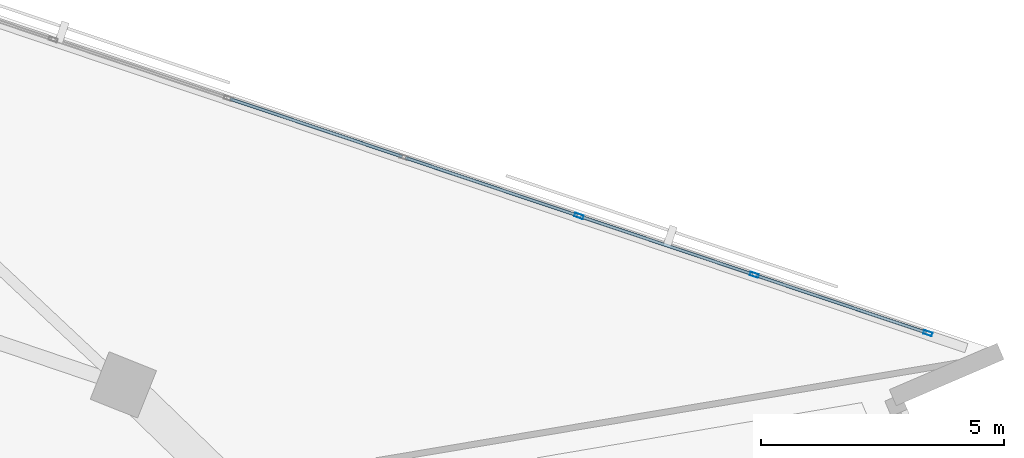
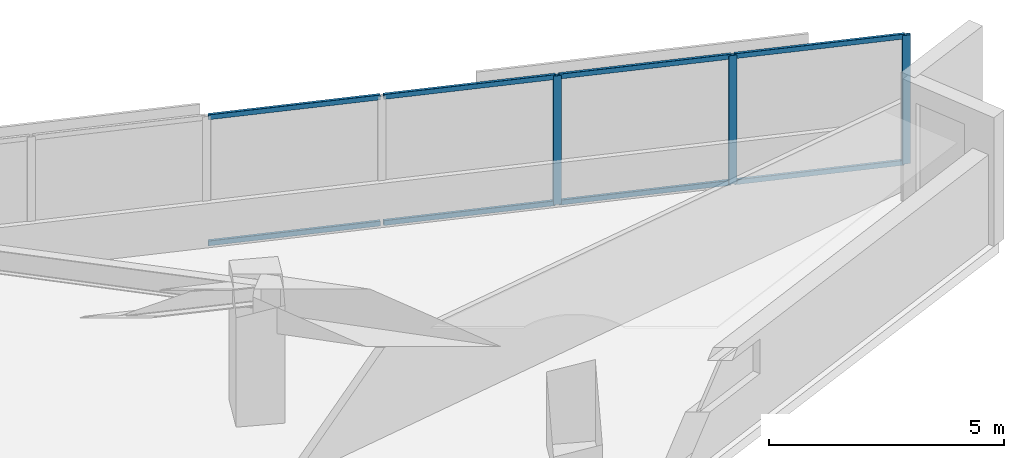
# One storey, part 5 of 14: 11 members, 1 element without a shape of its own.
"""IFC4 building model written with IfcOpenShell, lengths in metres."""

from ifc_helpers import new_model, si_unit, direction, frame, origin, origin_2d, place, context, subcontext, project, spatial, hollow_rectangle, extrude, material, material_profile, profile_set, type_object, element, aggregate, save


model = new_model("IFC4")

# Units and contexts
model_context = context("Model", 3, precision=1e-05, world=origin(), true_north=direction((0.0, 1.0)))
body_context = subcontext(model_context, "Body", "Model", "MODEL_VIEW")
ifc_project = project(units=[si_unit("LENGTHUNIT", "METRE"), si_unit("AREAUNIT", "SQUARE_METRE"), si_unit("VOLUMEUNIT", "CUBIC_METRE"), si_unit("PLANEANGLEUNIT", "RADIAN"), si_unit("MASSUNIT", "GRAM", prefix="KILO")], contexts=[model_context])

# Site, building, storey
site_placement = place(None, origin())
site = spatial("IfcSite", under=ifc_project, at=site_placement, CompositionType="ELEMENT")
building_placement = place(site_placement, origin())
building = spatial("IfcBuilding", under=site, at=building_placement, Name="Narakoshi Arena Tower", CompositionType="ELEMENT")
storey_placement = place(building_placement, frame((0.0, 0.0, 168.300048828125)))
storey = spatial("IfcBuildingStorey", under=building, at=storey_placement, Name="L45", CompositionType="ELEMENT", Elevation=168.300048828125)

# Curtain wall, members
ifc_material = material(Name="Anodised bronze aluminium 6063-T6", Category="aluminium")
curtain_wall_type = type_object("IfcCurtainWallType", Name="CW-HYP-MID", PredefinedType="NOTDEFINED", material=ifc_material)
curtain_wall_placement = place(storey_placement, origin())
curtain_wall = element("IfcCurtainWall", 1, at=curtain_wall_placement, inside=storey, type_object=curtain_wall_type, Name="L45 Folded Hypotenuse Curtain Wall 1-1", PredefinedType="NOTDEFINED")
ifc_material_profile_1 = material_profile(ifc_material, hollow_rectangle(XDim=0.074951171875, YDim=0.179931640625, WallThickness=0.00390625, OuterFilletRadius=0.0048828125, at=origin_2d()), Name="MUL180x75x4")
ifc_profile_set_1 = profile_set([ifc_material_profile_1], Name="Anodised bronze aluminium 6063-T6")
member_type_1 = type_object("IfcMemberType", Name="MEM-MUL-180", PredefinedType="MULLION", material=ifc_profile_set_1)
member_1_placement = place(storey_placement, frame((116.57080078125, 52.6513671875, 0.0), z_axis=(0.0, 0.0, 1.0), x_axis=(-0.318260960253, -0.948003144077, 0.0)))
member_1 = element("IfcMember", 2, at=member_1_placement, type_object=member_type_1, Name="CW-02 mullion 1", PredefinedType="MULLION", context=body_context, shape_type="SweptSolid", body=[
    extrude(hollow_rectangle(XDim=0.074951171875, YDim=0.179931640625, WallThickness=0.00390625, OuterFilletRadius=0.0048828125, at=origin_2d()), origin(), (0.0, 0.0, 1.0), 3.33984375),
])
member_2_placement = place(storey_placement, frame((112.998779296875, 53.8505859375, 0.0), z_axis=(0.0, 0.0, 1.0), x_axis=(-0.318260960253, -0.948003144077, 0.0)))
member_2 = element("IfcMember", 3, at=member_2_placement, type_object=member_type_1, Name="CW-02 mullion 2", PredefinedType="MULLION", context=body_context, shape_type="SweptSolid", body=[
    extrude(hollow_rectangle(XDim=0.074951171875, YDim=0.179931640625, WallThickness=0.00390625, OuterFilletRadius=0.0048828125, at=origin_2d()), origin(), (0.0, 0.0, 1.0), 3.33984375),
])
member_3_placement = place(storey_placement, frame((109.39111328125, 55.061767578125, 0.0), z_axis=(0.0, 0.0, 1.0), x_axis=(-0.318260960253, -0.948003144077, 0.0)))
member_3 = element("IfcMember", 4, at=member_3_placement, type_object=member_type_1, Name="CW-02 mullion 3", PredefinedType="MULLION", context=body_context, shape_type="SweptSolid", body=[
    extrude(hollow_rectangle(XDim=0.074951171875, YDim=0.179931640625, WallThickness=0.00390625, OuterFilletRadius=0.0048828125, at=origin_2d()), origin(), (0.0, 0.0, 1.0), 3.33984375),
])
ifc_material_profile_2 = material_profile(ifc_material, hollow_rectangle(XDim=0.06494140625, YDim=0.1298828125, WallThickness=0.00390625, OuterFilletRadius=0.0048828125, at=origin_2d()), Name="TRN130x65x4")
ifc_profile_set_2 = profile_set([ifc_material_profile_2], Name="Anodised bronze aluminium 6063-T6")
member_type_2 = type_object("IfcMemberType", Name="MEM-TRN-130", PredefinedType="USERDEFINED", material=ifc_profile_set_2)
member_4_placement = place(storey_placement, frame((116.53515625, 52.663330078125, 0.032470703125), z_axis=(-0.948006826737, 0.31824999051, 0.0), x_axis=(-0.31824999051, -0.948006826737, 0.0)))
member_4 = element("IfcMember", 5, at=member_4_placement, type_object=member_type_2, Name="CW-02 transom 1.1", ObjectType="TRANSOM", PredefinedType="USERDEFINED", context=body_context, shape_type="SweptSolid", body=[
    extrude(hollow_rectangle(XDim=0.06494140625, YDim=0.1298828125, WallThickness=0.00390625, OuterFilletRadius=0.0048828125, at=origin_2d()), origin(), (0.0, 0.0, 1.0), 3.69287109375),
])
member_5_placement = place(storey_placement, frame((116.53515625, 52.663330078125, 3.307373046875), z_axis=(-0.948006826737, 0.31824999051, 0.0), x_axis=(-0.31824999051, -0.948006826737, 0.0)))
member_5 = element("IfcMember", 6, at=member_5_placement, type_object=member_type_2, Name="CW-02 transom 1.2", ObjectType="TRANSOM", PredefinedType="USERDEFINED", context=body_context, shape_type="SweptSolid", body=[
    extrude(hollow_rectangle(XDim=0.06494140625, YDim=0.1298828125, WallThickness=0.00390625, OuterFilletRadius=0.0048828125, at=origin_2d()), origin(), (0.0, 0.0, 1.0), 3.69287109375),
])
member_6_placement = place(storey_placement, frame((112.963134765625, 53.862548828125, 0.032470703125), z_axis=(-0.948000451231, 0.318268981314, 0.0), x_axis=(-0.318268981314, -0.948000451231, 0.0)))
member_6 = element("IfcMember", 7, at=member_6_placement, type_object=member_type_2, Name="CW-02 transom 2.1", ObjectType="TRANSOM", PredefinedType="USERDEFINED", context=body_context, shape_type="SweptSolid", body=[
    extrude(hollow_rectangle(XDim=0.06494140625, YDim=0.1298828125, WallThickness=0.00390625, OuterFilletRadius=0.0048828125, at=origin_2d()), origin(), (0.0, 0.0, 1.0), 3.73046875),
])
member_7_placement = place(storey_placement, frame((112.963134765625, 53.862548828125, 3.307373046875), z_axis=(-0.948000451231, 0.318268981314, 0.0), x_axis=(-0.318268981314, -0.948000451231, 0.0)))
member_7 = element("IfcMember", 8, at=member_7_placement, type_object=member_type_2, Name="CW-02 transom 2.2", ObjectType="TRANSOM", PredefinedType="USERDEFINED", context=body_context, shape_type="SweptSolid", body=[
    extrude(hollow_rectangle(XDim=0.06494140625, YDim=0.1298828125, WallThickness=0.00390625, OuterFilletRadius=0.0048828125, at=origin_2d()), origin(), (0.0, 0.0, 1.0), 3.73046875),
])
member_8_placement = place(storey_placement, frame((109.35546875, 55.073486328125, 0.032470703125), z_axis=(-0.948000451231, 0.318268981314, 0.0), x_axis=(-0.318268981314, -0.948000451231, 0.0)))
member_8 = element("IfcMember", 9, at=member_8_placement, type_object=member_type_2, Name="CW-02 transom 3.1", ObjectType="TRANSOM", PredefinedType="USERDEFINED", context=body_context, shape_type="SweptSolid", body=[
    extrude(hollow_rectangle(XDim=0.06494140625, YDim=0.1298828125, WallThickness=0.00390625, OuterFilletRadius=0.0048828125, at=origin_2d()), origin(), (0.0, 0.0, 1.0), 3.73046875),
])
member_9_placement = place(storey_placement, frame((109.35546875, 55.073486328125, 3.307373046875), z_axis=(-0.948000451231, 0.318268981314, 0.0), x_axis=(-0.318268981314, -0.948000451231, 0.0)))
member_9 = element("IfcMember", 10, at=member_9_placement, type_object=member_type_2, Name="CW-02 transom 3.2", ObjectType="TRANSOM", PredefinedType="USERDEFINED", context=body_context, shape_type="SweptSolid", body=[
    extrude(hollow_rectangle(XDim=0.06494140625, YDim=0.1298828125, WallThickness=0.00390625, OuterFilletRadius=0.0048828125, at=origin_2d()), origin(), (0.0, 0.0, 1.0), 3.73046875),
])
member_10_placement = place(storey_placement, frame((105.748046875, 56.28466796875, 0.032470703125), z_axis=(-0.948007080082, 0.318249235844, 0.0), x_axis=(-0.318249235844, -0.948007080082, 0.0)))
member_10 = element("IfcMember", 11, at=member_10_placement, type_object=member_type_2, Name="CW-02 transom 4.1", ObjectType="TRANSOM", PredefinedType="USERDEFINED", context=body_context, shape_type="SweptSolid", body=[
    extrude(hollow_rectangle(XDim=0.06494140625, YDim=0.1298828125, WallThickness=0.00390625, OuterFilletRadius=0.0048828125, at=origin_2d()), origin(), (0.0, 0.0, 1.0), 3.73046875),
])
member_11_placement = place(storey_placement, frame((105.748046875, 56.28466796875, 3.307373046875), z_axis=(-0.948007080082, 0.318249235844, 0.0), x_axis=(-0.318249235844, -0.948007080082, 0.0)))
member_11 = element("IfcMember", 12, at=member_11_placement, type_object=member_type_2, Name="CW-02 transom 4.2", ObjectType="TRANSOM", PredefinedType="USERDEFINED", context=body_context, shape_type="SweptSolid", body=[
    extrude(hollow_rectangle(XDim=0.06494140625, YDim=0.1298828125, WallThickness=0.00390625, OuterFilletRadius=0.0048828125, at=origin_2d()), origin(), (0.0, 0.0, 1.0), 3.73046875),
])
aggregate(curtain_wall, [member_1, member_2, member_3, member_4, member_5, member_6, member_7, member_8, member_9, member_10, member_11])

save(model, "model.ifc")
